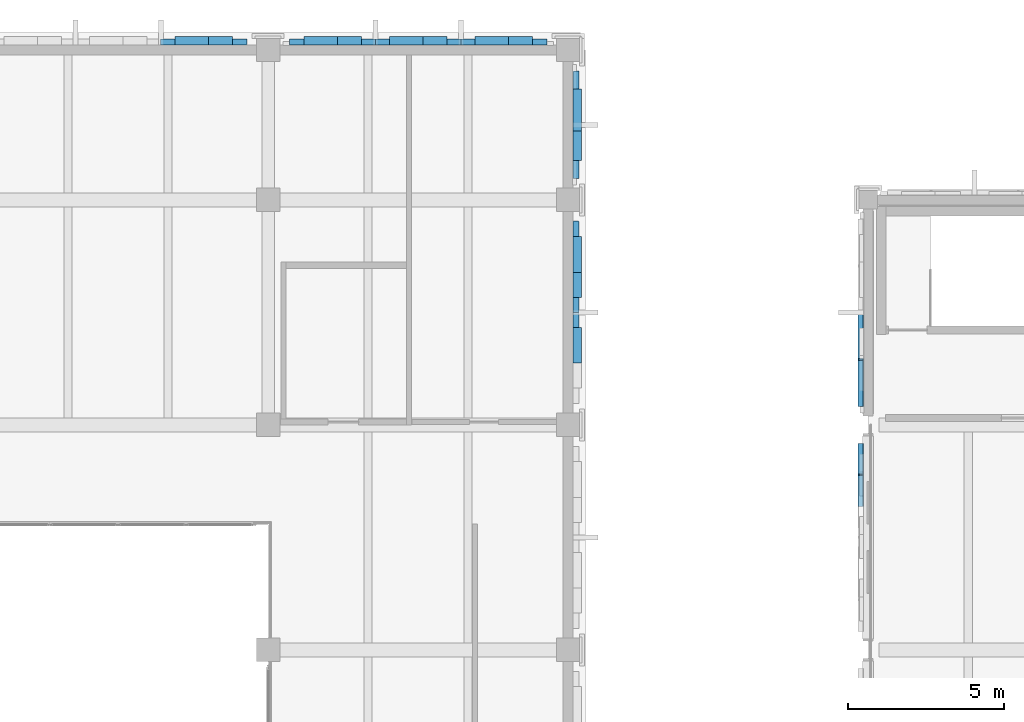
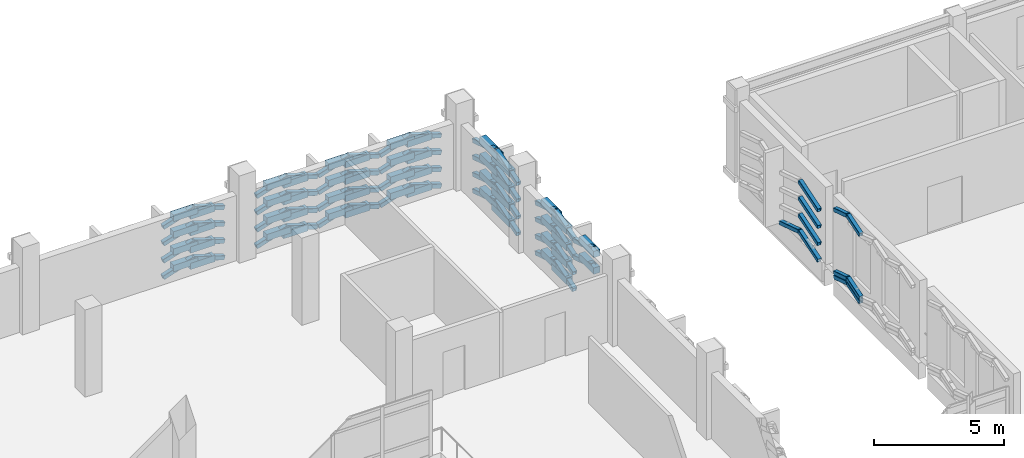
# One storey, part 142 of 180: 111 plates.
"""IFC4 building model written with IfcOpenShell, lengths in metres."""

from ifc_helpers import new_model, si_unit, direction, frame, origin, origin_2d, place, context, subcontext, project, spatial, rectangle, hollow_rectangle, extrude, material, layer, layer_set, material_profile, profile_set, type_object, element, save


model = new_model("IFC4")

# Units and contexts
model_context = context("Model", 3, precision=1e-05, world=origin(), true_north=direction((0.0, 1.0)))
body_context = subcontext(model_context, "Body", "Model", "MODEL_VIEW")
ifc_project = project(units=[si_unit("LENGTHUNIT", "METRE"), si_unit("AREAUNIT", "SQUARE_METRE"), si_unit("VOLUMEUNIT", "CUBIC_METRE"), si_unit("PLANEANGLEUNIT", "RADIAN"), si_unit("MASSUNIT", "GRAM", prefix="KILO")], contexts=[model_context])

# Site, building, storey
site_placement = place(None, origin())
site = spatial("IfcSite", under=ifc_project, at=site_placement, CompositionType="ELEMENT")
building_placement = place(site_placement, origin())
building = spatial("IfcBuilding", under=site, at=building_placement, Name="Asteropetra Specialist Clinic", CompositionType="ELEMENT")
storey_placement = place(building_placement, frame((0.0, 0.0, 4.419921875)))
storey = spatial("IfcBuildingStorey", under=building, at=storey_placement, Name="L01", CompositionType="ELEMENT", Elevation=4.419921875)

# Plates
ifc_material_1 = material(Name="Chevron emerald aluminium 6063-T6", Category="aluminium")
ifc_material_profile_1 = material_profile(ifc_material_1, hollow_rectangle(XDim=0.179931640625, YDim=0.179931640625, WallThickness=0.010009765625, InnerFilletRadius=0.008056640625, OuterFilletRadius=0.01611328125, at=origin_2d()), Name="SHS 180x180x10.0")
ifc_profile_set_1 = profile_set([ifc_material_profile_1], Name="Chevron emerald aluminium 6063-T6")
plate_type_1 = type_object("IfcPlateType", Name="CHV-RIB-180", PredefinedType="SHEET", material=ifc_profile_set_1)
for number, where, z_axis, x_axis, name in (
    (1, (86.157958984375, 97.780029296875, 0.0400390625), (0.0, -0.951905113025, 0.306392976091), (1.0, 0.0, 0.0), "Chevron Facade Screen Fin CVR-0295"),
    (2, (86.157958984375, 96.800048828125, 0.35546875), (0.0, -0.951905113025, -0.306392976091), (1.0, 0.0, 0.0), "Chevron Facade Screen Fin CVR-0296"),
    (3, (86.157958984375, 97.780029296875, 0.239990234375), (0.0, -0.951905113025, 0.306392976091), (1.0, 0.0, 0.0), "Chevron Facade Screen Fin CVR-0297"),
    (4, (86.157958984375, 96.800048828125, 0.555419921875), (0.0, -0.951905113025, -0.306392976091), (1.0, 0.0, 0.0), "Chevron Facade Screen Fin CVR-0298"),
    (5, (86.157958984375, 97.780029296875, 3.190185546875), (0.0, -0.951974259169, 0.306178068906), (1.0, 0.0, 0.0), "Chevron Facade Screen Fin CVR-0299"),
    (6, (86.157958984375, 96.800048828125, 3.50537109375), (0.0, -0.951974259169, -0.306178068906), (1.0, 0.0, 0.0), "Chevron Facade Screen Fin CVR-0300"),
):
    element("IfcPlate", number, at=place(storey_placement, frame(where, z_axis=z_axis, x_axis=x_axis)), inside=storey, type_object=plate_type_1, Name=name, PredefinedType="SHEET", context=body_context, shape_type="SweptSolid", body=[
        extrude(hollow_rectangle(XDim=0.179931640625, YDim=0.179931640625, WallThickness=0.010009765625, InnerFilletRadius=0.008056640625, OuterFilletRadius=0.01611328125, at=origin_2d()), origin(), (0.0, 0.0, 1.0), 1.029541015625),
    ])
plate_1_placement = place(storey_placement, frame((86.157958984375, 101.969970703125, 0.050048828125), z_axis=(0.0, -0.952521130358, 0.304472488449), x_axis=(1.0, 0.0, 0.0)))
element("IfcPlate", 7, at=plate_1_placement, inside=storey, type_object=plate_type_1, Name="Chevron Facade Screen Fin CVR-0339", PredefinedType="SHEET", context=body_context, shape_type="SweptSolid", body=[
    extrude(hollow_rectangle(XDim=0.179931640625, YDim=0.179931640625, WallThickness=0.010009765625, InnerFilletRadius=0.008056640625, OuterFilletRadius=0.01611328125, at=origin_2d()), origin(), (0.0, 0.0, 1.0), 1.54833984375),
])
for number, where, z_axis, x_axis, name in (
    (8, (86.157958984375, 100.4951171875, 0.521484375), (0.0, -0.952535744188, -0.304426766307), (1.0, 0.0, 0.0), "Chevron Facade Screen Fin CVR-0340"),
    (9, (86.157958984375, 100.4951171875, 1.29150390625), (0.0, -0.952535744188, -0.304426766307), (1.0, 0.0, 0.0), "Chevron Facade Screen Fin CVR-0342"),
    (10, (86.157958984375, 100.4951171875, 2.091552734375), (0.0, -0.952535744188, -0.304426766307), (1.0, 0.0, 0.0), "Chevron Facade Screen Fin CVR-0344"),
    (11, (86.157958984375, 100.4951171875, 2.87158203125), (0.0, -0.952535744188, -0.304426766307), (1.0, 0.0, 0.0), "Chevron Facade Screen Fin CVR-0346"),
):
    element("IfcPlate", number, at=place(storey_placement, frame(where, z_axis=z_axis, x_axis=x_axis)), inside=storey, type_object=plate_type_1, Name=name, PredefinedType="SHEET", context=body_context, shape_type="SweptSolid", body=[
        extrude(hollow_rectangle(XDim=0.179931640625, YDim=0.179931640625, WallThickness=0.010009765625, InnerFilletRadius=0.008056640625, OuterFilletRadius=0.01611328125, at=origin_2d()), origin(), (0.0, 0.0, 1.0), 1.548583984375),
    ])
ifc_material_2 = material(Name="Chevron emerald aluminium 6063-T6", Category="aluminium")
ifc_material_profile_2 = material_profile(ifc_material_2, hollow_rectangle(XDim=0.199951171875, YDim=0.199951171875, WallThickness=0.010009765625, InnerFilletRadius=0.008056640625, OuterFilletRadius=0.01611328125, at=origin_2d()), Name="SHS 200x200x10.0")
ifc_profile_set_2 = profile_set([ifc_material_profile_2], Name="Chevron emerald aluminium 6063-T6")
plate_type_2 = type_object("IfcPlateType", Name="CHV-RIB-200", PredefinedType="SHEET", material=ifc_profile_set_2)
for number, where, z_axis, x_axis, name in (
    (12, (66.485107421875, 110.652099609375, 0.050048828125), (-0.95244216645, 0.0, 0.304719411211), (0.0, -1.0, 0.0), "Chevron Facade Screen Fin CVR-0595"),
    (13, (65.13671875, 110.652099609375, 0.4814453125), (-0.95244216645, 0.0, -0.304719411211), (0.0, -1.0, 0.0), "Chevron Facade Screen Fin CVR-0596"),
    (14, (66.485107421875, 110.652099609375, 0.820068359375), (-0.95244216645, 0.0, 0.304719411211), (0.0, -1.0, 0.0), "Chevron Facade Screen Fin CVR-0597"),
    (15, (65.13671875, 110.652099609375, 1.25146484375), (-0.95244216645, 0.0, -0.304719411211), (0.0, -1.0, 0.0), "Chevron Facade Screen Fin CVR-0598"),
    (16, (66.485107421875, 110.652099609375, 1.6201171875), (-0.95244216645, 0.0, 0.304719411211), (0.0, -1.0, 0.0), "Chevron Facade Screen Fin CVR-0599"),
    (17, (65.13671875, 110.652099609375, 2.051513671875), (-0.95244216645, 0.0, -0.304719411211), (0.0, -1.0, 0.0), "Chevron Facade Screen Fin CVR-0600"),
    (18, (66.485107421875, 110.652099609375, 2.400146484375), (-0.95244216645, 0.0, 0.304719411211), (0.0, -1.0, 0.0), "Chevron Facade Screen Fin CVR-0601"),
    (19, (65.13671875, 110.652099609375, 2.83154296875), (-0.95244216645, 0.0, -0.304719411211), (0.0, -1.0, 0.0), "Chevron Facade Screen Fin CVR-0602"),
):
    element("IfcPlate", number, at=place(storey_placement, frame(where, z_axis=z_axis, x_axis=x_axis)), inside=storey, type_object=plate_type_2, Name=name, PredefinedType="SHEET", context=body_context, shape_type="SweptSolid", body=[
        extrude(hollow_rectangle(XDim=0.199951171875, YDim=0.199951171875, WallThickness=0.010009765625, InnerFilletRadius=0.008056640625, OuterFilletRadius=0.01611328125, at=origin_2d()), origin(), (0.0, 0.0, 1.0), 1.415771484375),
    ])
plate_2_placement = place(storey_placement, frame((76.0849609375, 110.652099609375, 0.050048828125), z_axis=(-0.952426149832, 0.0, 0.304769468807), x_axis=(0.0, -1.0, 0.0)))
element("IfcPlate", 20, at=plate_2_placement, inside=storey, type_object=plate_type_2, Name="Chevron Facade Screen Fin CVR-0643", PredefinedType="SHEET", context=body_context, shape_type="SweptSolid", body=[
    extrude(hollow_rectangle(XDim=0.199951171875, YDim=0.199951171875, WallThickness=0.010009765625, InnerFilletRadius=0.008056640625, OuterFilletRadius=0.01611328125, at=origin_2d()), origin(), (0.0, 0.0, 1.0), 1.41552734375),
])
plate_3_placement = place(storey_placement, frame((74.73681640625, 110.652099609375, 0.4814453125), z_axis=(-0.952458175178, 0.0, -0.304669369214), x_axis=(0.0, -1.0, 0.0)))
element("IfcPlate", 21, at=plate_3_placement, inside=storey, type_object=plate_type_2, Name="Chevron Facade Screen Fin CVR-0644", PredefinedType="SHEET", context=body_context, shape_type="SweptSolid", body=[
    extrude(hollow_rectangle(XDim=0.199951171875, YDim=0.199951171875, WallThickness=0.010009765625, InnerFilletRadius=0.008056640625, OuterFilletRadius=0.01611328125, at=origin_2d()), origin(), (0.0, 0.0, 1.0), 1.416015625),
])
plate_4_placement = place(storey_placement, frame((76.0849609375, 110.652099609375, 0.820068359375), z_axis=(-0.952426149832, 0.0, 0.304769468807), x_axis=(0.0, -1.0, 0.0)))
element("IfcPlate", 22, at=plate_4_placement, inside=storey, type_object=plate_type_2, Name="Chevron Facade Screen Fin CVR-0645", PredefinedType="SHEET", context=body_context, shape_type="SweptSolid", body=[
    extrude(hollow_rectangle(XDim=0.199951171875, YDim=0.199951171875, WallThickness=0.010009765625, InnerFilletRadius=0.008056640625, OuterFilletRadius=0.01611328125, at=origin_2d()), origin(), (0.0, 0.0, 1.0), 1.41552734375),
])
plate_5_placement = place(storey_placement, frame((74.73681640625, 110.652099609375, 1.25146484375), z_axis=(-0.952458175178, 0.0, -0.304669369214), x_axis=(0.0, -1.0, 0.0)))
element("IfcPlate", 23, at=plate_5_placement, inside=storey, type_object=plate_type_2, Name="Chevron Facade Screen Fin CVR-0646", PredefinedType="SHEET", context=body_context, shape_type="SweptSolid", body=[
    extrude(hollow_rectangle(XDim=0.199951171875, YDim=0.199951171875, WallThickness=0.010009765625, InnerFilletRadius=0.008056640625, OuterFilletRadius=0.01611328125, at=origin_2d()), origin(), (0.0, 0.0, 1.0), 1.416015625),
])
plate_6_placement = place(storey_placement, frame((76.0849609375, 110.652099609375, 1.6201171875), z_axis=(-0.952426149832, 0.0, 0.304769468807), x_axis=(0.0, -1.0, 0.0)))
element("IfcPlate", 24, at=plate_6_placement, inside=storey, type_object=plate_type_2, Name="Chevron Facade Screen Fin CVR-0647", PredefinedType="SHEET", context=body_context, shape_type="SweptSolid", body=[
    extrude(hollow_rectangle(XDim=0.199951171875, YDim=0.199951171875, WallThickness=0.010009765625, InnerFilletRadius=0.008056640625, OuterFilletRadius=0.01611328125, at=origin_2d()), origin(), (0.0, 0.0, 1.0), 1.41552734375),
])
plate_7_placement = place(storey_placement, frame((74.73681640625, 110.652099609375, 2.051513671875), z_axis=(-0.952458175178, 0.0, -0.304669369214), x_axis=(0.0, -1.0, 0.0)))
element("IfcPlate", 25, at=plate_7_placement, inside=storey, type_object=plate_type_2, Name="Chevron Facade Screen Fin CVR-0648", PredefinedType="SHEET", context=body_context, shape_type="SweptSolid", body=[
    extrude(hollow_rectangle(XDim=0.199951171875, YDim=0.199951171875, WallThickness=0.010009765625, InnerFilletRadius=0.008056640625, OuterFilletRadius=0.01611328125, at=origin_2d()), origin(), (0.0, 0.0, 1.0), 1.416015625),
])
plate_8_placement = place(storey_placement, frame((76.0849609375, 110.652099609375, 2.400146484375), z_axis=(-0.952426149832, 0.0, 0.304769468807), x_axis=(0.0, -1.0, 0.0)))
element("IfcPlate", 26, at=plate_8_placement, inside=storey, type_object=plate_type_2, Name="Chevron Facade Screen Fin CVR-0649", PredefinedType="SHEET", context=body_context, shape_type="SweptSolid", body=[
    extrude(hollow_rectangle(XDim=0.199951171875, YDim=0.199951171875, WallThickness=0.010009765625, InnerFilletRadius=0.008056640625, OuterFilletRadius=0.01611328125, at=origin_2d()), origin(), (0.0, 0.0, 1.0), 1.41552734375),
])
plate_9_placement = place(storey_placement, frame((74.73681640625, 110.652099609375, 2.83154296875), z_axis=(-0.952458175178, 0.0, -0.304669369214), x_axis=(0.0, -1.0, 0.0)))
element("IfcPlate", 27, at=plate_9_placement, inside=storey, type_object=plate_type_2, Name="Chevron Facade Screen Fin CVR-0650", PredefinedType="SHEET", context=body_context, shape_type="SweptSolid", body=[
    extrude(hollow_rectangle(XDim=0.199951171875, YDim=0.199951171875, WallThickness=0.010009765625, InnerFilletRadius=0.008056640625, OuterFilletRadius=0.01611328125, at=origin_2d()), origin(), (0.0, 0.0, 1.0), 1.416015625),
])
for number, where, z_axis, x_axis, name in (
    (28, (73.348388671875, 110.652099609375, 0.050048828125), (-0.95244216645, 0.0, 0.304719411211), (0.0, -1.0, 0.0), "Chevron Facade Screen Fin CVR-0651"),
    (29, (72.0, 110.652099609375, 0.4814453125), (-0.95244216645, 0.0, -0.304719411211), (0.0, -1.0, 0.0), "Chevron Facade Screen Fin CVR-0652"),
    (30, (73.348388671875, 110.652099609375, 0.820068359375), (-0.95244216645, 0.0, 0.304719411211), (0.0, -1.0, 0.0), "Chevron Facade Screen Fin CVR-0653"),
    (31, (72.0, 110.652099609375, 1.25146484375), (-0.95244216645, 0.0, -0.304719411211), (0.0, -1.0, 0.0), "Chevron Facade Screen Fin CVR-0654"),
    (32, (73.348388671875, 110.652099609375, 1.6201171875), (-0.95244216645, 0.0, 0.304719411211), (0.0, -1.0, 0.0), "Chevron Facade Screen Fin CVR-0655"),
    (33, (72.0, 110.652099609375, 2.051513671875), (-0.95244216645, 0.0, -0.304719411211), (0.0, -1.0, 0.0), "Chevron Facade Screen Fin CVR-0656"),
    (34, (73.348388671875, 110.652099609375, 2.400146484375), (-0.95244216645, 0.0, 0.304719411211), (0.0, -1.0, 0.0), "Chevron Facade Screen Fin CVR-0657"),
    (35, (72.0, 110.652099609375, 2.83154296875), (-0.95244216645, 0.0, -0.304719411211), (0.0, -1.0, 0.0), "Chevron Facade Screen Fin CVR-0658"),
):
    element("IfcPlate", number, at=place(storey_placement, frame(where, z_axis=z_axis, x_axis=x_axis)), inside=storey, type_object=plate_type_2, Name=name, PredefinedType="SHEET", context=body_context, shape_type="SweptSolid", body=[
        extrude(hollow_rectangle(XDim=0.199951171875, YDim=0.199951171875, WallThickness=0.010009765625, InnerFilletRadius=0.008056640625, OuterFilletRadius=0.01611328125, at=origin_2d()), origin(), (0.0, 0.0, 1.0), 1.415771484375),
    ])
plate_10_placement = place(storey_placement, frame((70.61181640625, 110.652099609375, 0.050048828125), z_axis=(-0.952458175178, 0.0, 0.304669369214), x_axis=(0.0, -1.0, 0.0)))
element("IfcPlate", 36, at=plate_10_placement, inside=storey, type_object=plate_type_2, Name="Chevron Facade Screen Fin CVR-0659", PredefinedType="SHEET", context=body_context, shape_type="SweptSolid", body=[
    extrude(hollow_rectangle(XDim=0.199951171875, YDim=0.199951171875, WallThickness=0.010009765625, InnerFilletRadius=0.008056640625, OuterFilletRadius=0.01611328125, at=origin_2d()), origin(), (0.0, 0.0, 1.0), 1.416015625),
])
plate_11_placement = place(storey_placement, frame((69.26318359375, 110.652099609375, 0.4814453125), z_axis=(-0.952426149832, 0.0, -0.304769468807), x_axis=(0.0, -1.0, 0.0)))
element("IfcPlate", 37, at=plate_11_placement, inside=storey, type_object=plate_type_2, Name="Chevron Facade Screen Fin CVR-0660", PredefinedType="SHEET", context=body_context, shape_type="SweptSolid", body=[
    extrude(hollow_rectangle(XDim=0.199951171875, YDim=0.199951171875, WallThickness=0.010009765625, InnerFilletRadius=0.008056640625, OuterFilletRadius=0.01611328125, at=origin_2d()), origin(), (0.0, 0.0, 1.0), 1.41552734375),
])
plate_12_placement = place(storey_placement, frame((70.61181640625, 110.652099609375, 0.820068359375), z_axis=(-0.952458175178, 0.0, 0.304669369214), x_axis=(0.0, -1.0, 0.0)))
element("IfcPlate", 38, at=plate_12_placement, inside=storey, type_object=plate_type_2, Name="Chevron Facade Screen Fin CVR-0661", PredefinedType="SHEET", context=body_context, shape_type="SweptSolid", body=[
    extrude(hollow_rectangle(XDim=0.199951171875, YDim=0.199951171875, WallThickness=0.010009765625, InnerFilletRadius=0.008056640625, OuterFilletRadius=0.01611328125, at=origin_2d()), origin(), (0.0, 0.0, 1.0), 1.416015625),
])
plate_13_placement = place(storey_placement, frame((69.26318359375, 110.652099609375, 1.25146484375), z_axis=(-0.952426149832, 0.0, -0.304769468807), x_axis=(0.0, -1.0, 0.0)))
element("IfcPlate", 39, at=plate_13_placement, inside=storey, type_object=plate_type_2, Name="Chevron Facade Screen Fin CVR-0662", PredefinedType="SHEET", context=body_context, shape_type="SweptSolid", body=[
    extrude(hollow_rectangle(XDim=0.199951171875, YDim=0.199951171875, WallThickness=0.010009765625, InnerFilletRadius=0.008056640625, OuterFilletRadius=0.01611328125, at=origin_2d()), origin(), (0.0, 0.0, 1.0), 1.41552734375),
])
plate_14_placement = place(storey_placement, frame((70.61181640625, 110.652099609375, 1.6201171875), z_axis=(-0.952458175178, 0.0, 0.304669369214), x_axis=(0.0, -1.0, 0.0)))
element("IfcPlate", 40, at=plate_14_placement, inside=storey, type_object=plate_type_2, Name="Chevron Facade Screen Fin CVR-0663", PredefinedType="SHEET", context=body_context, shape_type="SweptSolid", body=[
    extrude(hollow_rectangle(XDim=0.199951171875, YDim=0.199951171875, WallThickness=0.010009765625, InnerFilletRadius=0.008056640625, OuterFilletRadius=0.01611328125, at=origin_2d()), origin(), (0.0, 0.0, 1.0), 1.416015625),
])
plate_15_placement = place(storey_placement, frame((69.26318359375, 110.652099609375, 2.051513671875), z_axis=(-0.952426149832, 0.0, -0.304769468807), x_axis=(0.0, -1.0, 0.0)))
element("IfcPlate", 41, at=plate_15_placement, inside=storey, type_object=plate_type_2, Name="Chevron Facade Screen Fin CVR-0664", PredefinedType="SHEET", context=body_context, shape_type="SweptSolid", body=[
    extrude(hollow_rectangle(XDim=0.199951171875, YDim=0.199951171875, WallThickness=0.010009765625, InnerFilletRadius=0.008056640625, OuterFilletRadius=0.01611328125, at=origin_2d()), origin(), (0.0, 0.0, 1.0), 1.41552734375),
])
plate_16_placement = place(storey_placement, frame((70.61181640625, 110.652099609375, 2.400146484375), z_axis=(-0.952458175178, 0.0, 0.304669369214), x_axis=(0.0, -1.0, 0.0)))
element("IfcPlate", 42, at=plate_16_placement, inside=storey, type_object=plate_type_2, Name="Chevron Facade Screen Fin CVR-0665", PredefinedType="SHEET", context=body_context, shape_type="SweptSolid", body=[
    extrude(hollow_rectangle(XDim=0.199951171875, YDim=0.199951171875, WallThickness=0.010009765625, InnerFilletRadius=0.008056640625, OuterFilletRadius=0.01611328125, at=origin_2d()), origin(), (0.0, 0.0, 1.0), 1.416015625),
])
plate_17_placement = place(storey_placement, frame((69.26318359375, 110.652099609375, 2.83154296875), z_axis=(-0.952426149832, 0.0, -0.304769468807), x_axis=(0.0, -1.0, 0.0)))
element("IfcPlate", 43, at=plate_17_placement, inside=storey, type_object=plate_type_2, Name="Chevron Facade Screen Fin CVR-0666", PredefinedType="SHEET", context=body_context, shape_type="SweptSolid", body=[
    extrude(hollow_rectangle(XDim=0.199951171875, YDim=0.199951171875, WallThickness=0.010009765625, InnerFilletRadius=0.008056640625, OuterFilletRadius=0.01611328125, at=origin_2d()), origin(), (0.0, 0.0, 1.0), 1.41552734375),
])
for number, where, z_axis, x_axis, name in (
    (44, (77.052001953125, 100.547607421875, 2.078125), (0.0, 0.952491984317, -0.304563654777), (-1.0, 0.0, 0.0), "Chevron Facade Screen Fin CVR-0800"),
    (45, (77.052001953125, 100.547607421875, 2.858154296875), (0.0, 0.952491984317, -0.304563654777), (-1.0, 0.0, 0.0), "Chevron Facade Screen Fin CVR-0802"),
    (46, (77.052001953125, 102.02001953125, 0.050048828125), (0.0, 0.952491984317, 0.304563654777), (-1.0, 0.0, 0.0), "Chevron Facade Screen Fin CVR-0803"),
):
    element("IfcPlate", number, at=place(storey_placement, frame(where, z_axis=z_axis, x_axis=x_axis)), inside=storey, type_object=plate_type_2, Name=name, PredefinedType="SHEET", context=body_context, shape_type="SweptSolid", body=[
        extrude(hollow_rectangle(XDim=0.199951171875, YDim=0.199951171875, WallThickness=0.010009765625, InnerFilletRadius=0.008056640625, OuterFilletRadius=0.01611328125, at=origin_2d()), origin(), (0.0, 0.0, 1.0), 1.50390625),
    ])
plate_18_placement = place(storey_placement, frame((77.052001953125, 103.452392578125, 0.508056640625), z_axis=(0.0, 0.952507040007, -0.304516565619), x_axis=(-1.0, 0.0, 0.0)))
element("IfcPlate", 47, at=plate_18_placement, inside=storey, type_object=plate_type_2, Name="Chevron Facade Screen Fin CVR-0804", PredefinedType="SHEET", context=body_context, shape_type="SweptSolid", body=[
    extrude(hollow_rectangle(XDim=0.199951171875, YDim=0.199951171875, WallThickness=0.010009765625, InnerFilletRadius=0.008056640625, OuterFilletRadius=0.01611328125, at=origin_2d()), origin(), (0.0, 0.0, 1.0), 1.504150390625),
])
plate_19_placement = place(storey_placement, frame((77.052001953125, 102.02001953125, 0.820068359375), z_axis=(0.0, 0.952491984317, 0.304563654777), x_axis=(-1.0, 0.0, 0.0)))
element("IfcPlate", 48, at=plate_19_placement, inside=storey, type_object=plate_type_2, Name="Chevron Facade Screen Fin CVR-0805", PredefinedType="SHEET", context=body_context, shape_type="SweptSolid", body=[
    extrude(hollow_rectangle(XDim=0.199951171875, YDim=0.199951171875, WallThickness=0.010009765625, InnerFilletRadius=0.008056640625, OuterFilletRadius=0.01611328125, at=origin_2d()), origin(), (0.0, 0.0, 1.0), 1.50390625),
])
plate_20_placement = place(storey_placement, frame((77.052001953125, 103.452392578125, 1.278076171875), z_axis=(0.0, 0.952507040007, -0.304516565619), x_axis=(-1.0, 0.0, 0.0)))
element("IfcPlate", 49, at=plate_20_placement, inside=storey, type_object=plate_type_2, Name="Chevron Facade Screen Fin CVR-0806", PredefinedType="SHEET", context=body_context, shape_type="SweptSolid", body=[
    extrude(hollow_rectangle(XDim=0.199951171875, YDim=0.199951171875, WallThickness=0.010009765625, InnerFilletRadius=0.008056640625, OuterFilletRadius=0.01611328125, at=origin_2d()), origin(), (0.0, 0.0, 1.0), 1.504150390625),
])
plate_21_placement = place(storey_placement, frame((77.052001953125, 102.02001953125, 1.6201171875), z_axis=(0.0, 0.952491984317, 0.304563654777), x_axis=(-1.0, 0.0, 0.0)))
element("IfcPlate", 50, at=plate_21_placement, inside=storey, type_object=plate_type_2, Name="Chevron Facade Screen Fin CVR-0807", PredefinedType="SHEET", context=body_context, shape_type="SweptSolid", body=[
    extrude(hollow_rectangle(XDim=0.199951171875, YDim=0.199951171875, WallThickness=0.010009765625, InnerFilletRadius=0.008056640625, OuterFilletRadius=0.01611328125, at=origin_2d()), origin(), (0.0, 0.0, 1.0), 1.50390625),
])
plate_22_placement = place(storey_placement, frame((77.052001953125, 103.452392578125, 2.078125), z_axis=(0.0, 0.952507040007, -0.304516565619), x_axis=(-1.0, 0.0, 0.0)))
element("IfcPlate", 51, at=plate_22_placement, inside=storey, type_object=plate_type_2, Name="Chevron Facade Screen Fin CVR-0808", PredefinedType="SHEET", context=body_context, shape_type="SweptSolid", body=[
    extrude(hollow_rectangle(XDim=0.199951171875, YDim=0.199951171875, WallThickness=0.010009765625, InnerFilletRadius=0.008056640625, OuterFilletRadius=0.01611328125, at=origin_2d()), origin(), (0.0, 0.0, 1.0), 1.504150390625),
])
plate_23_placement = place(storey_placement, frame((77.052001953125, 102.02001953125, 2.400146484375), z_axis=(0.0, 0.952491984317, 0.304563654777), x_axis=(-1.0, 0.0, 0.0)))
element("IfcPlate", 52, at=plate_23_placement, inside=storey, type_object=plate_type_2, Name="Chevron Facade Screen Fin CVR-0809", PredefinedType="SHEET", context=body_context, shape_type="SweptSolid", body=[
    extrude(hollow_rectangle(XDim=0.199951171875, YDim=0.199951171875, WallThickness=0.010009765625, InnerFilletRadius=0.008056640625, OuterFilletRadius=0.01611328125, at=origin_2d()), origin(), (0.0, 0.0, 1.0), 1.50390625),
])
plate_24_placement = place(storey_placement, frame((77.052001953125, 103.452392578125, 2.858154296875), z_axis=(0.0, 0.952507040007, -0.304516565619), x_axis=(-1.0, 0.0, 0.0)))
element("IfcPlate", 53, at=plate_24_placement, inside=storey, type_object=plate_type_2, Name="Chevron Facade Screen Fin CVR-0810", PredefinedType="SHEET", context=body_context, shape_type="SweptSolid", body=[
    extrude(hollow_rectangle(XDim=0.199951171875, YDim=0.199951171875, WallThickness=0.010009765625, InnerFilletRadius=0.008056640625, OuterFilletRadius=0.01611328125, at=origin_2d()), origin(), (0.0, 0.0, 1.0), 1.504150390625),
])
for number, where, z_axis, x_axis, name in (
    (54, (77.052001953125, 106.31494140625, 0.050048828125), (0.0, 0.952689829529, 0.303944219737), (-1.0, 0.0, 0.0), "Chevron Facade Screen Fin CVR-0819"),
    (55, (77.052001953125, 108.0, 0.587646484375), (0.0, 0.952689829529, -0.303944219737), (-1.0, 0.0, 0.0), "Chevron Facade Screen Fin CVR-0820"),
    (56, (77.052001953125, 106.31494140625, 0.820068359375), (0.0, 0.952689829529, 0.303944219737), (-1.0, 0.0, 0.0), "Chevron Facade Screen Fin CVR-0821"),
    (57, (77.052001953125, 108.0, 1.357666015625), (0.0, 0.952689829529, -0.303944219737), (-1.0, 0.0, 0.0), "Chevron Facade Screen Fin CVR-0822"),
    (58, (77.052001953125, 106.31494140625, 1.6201171875), (0.0, 0.952689829529, 0.303944219737), (-1.0, 0.0, 0.0), "Chevron Facade Screen Fin CVR-0823"),
    (59, (77.052001953125, 108.0, 2.15771484375), (0.0, 0.952689829529, -0.303944219737), (-1.0, 0.0, 0.0), "Chevron Facade Screen Fin CVR-0824"),
    (60, (77.052001953125, 106.31494140625, 2.400146484375), (0.0, 0.952689829529, 0.303944219737), (-1.0, 0.0, 0.0), "Chevron Facade Screen Fin CVR-0825"),
    (61, (77.052001953125, 108.0, 2.937744140625), (0.0, 0.952689829529, -0.303944219737), (-1.0, 0.0, 0.0), "Chevron Facade Screen Fin CVR-0826"),
):
    element("IfcPlate", number, at=place(storey_placement, frame(where, z_axis=z_axis, x_axis=x_axis)), inside=storey, type_object=plate_type_2, Name=name, PredefinedType="SHEET", context=body_context, shape_type="SweptSolid", body=[
        extrude(hollow_rectangle(XDim=0.199951171875, YDim=0.199951171875, WallThickness=0.010009765625, InnerFilletRadius=0.008056640625, OuterFilletRadius=0.01611328125, at=origin_2d()), origin(), (0.0, 0.0, 1.0), 1.768798828125),
    ])
ifc_material_3 = material(Name="Aluminium 6063-T6", Category="aluminium")
ifc_layer = layer(ifc_material_3, 0.139892578125)
ifc_layer_set = layer_set([ifc_layer], Name="Aluminium 6063-T6")
plate_type_3 = type_object("IfcPlateType", Name="PLT-CHV-TILE", PredefinedType="SHEET", material=ifc_layer_set)
for number, where, z_axis, x_axis, name in (
    (62, (65.51416015625, 110.68994140625, 0.029296875), (0.0, 0.0, 1.0), (1.0, 0.0, 0.0), "Chevron Ceramic Panel CPT-0233"),
    (63, (64.759033203125, 110.68994140625, 0.193359375), (0.0, 0.0, 1.0), (1.0, 0.0, 0.0), "Chevron Ceramic Panel CPT-0234"),
    (64, (65.51416015625, 110.68994140625, 0.79931640625), (0.0, 0.0, 1.0), (1.0, 0.0, 0.0), "Chevron Ceramic Panel CPT-0235"),
    (65, (64.759033203125, 110.68994140625, 0.96337890625), (0.0, 0.0, 1.0), (1.0, 0.0, 0.0), "Chevron Ceramic Panel CPT-0236"),
    (66, (65.51416015625, 110.68994140625, 1.599609375), (0.0, 0.0, 1.0), (1.0, 0.0, 0.0), "Chevron Ceramic Panel CPT-0237"),
    (67, (64.759033203125, 110.68994140625, 1.763671875), (0.0, 0.0, 1.0), (1.0, 0.0, 0.0), "Chevron Ceramic Panel CPT-0238"),
    (68, (65.51416015625, 110.68994140625, 2.37939453125), (0.0, 0.0, 1.0), (1.0, 0.0, 0.0), "Chevron Ceramic Panel CPT-0239"),
    (69, (64.759033203125, 110.68994140625, 2.54345703125), (0.0, 0.0, 1.0), (1.0, 0.0, 0.0), "Chevron Ceramic Panel CPT-0240"),
    (70, (75.1142578125, 110.68994140625, 0.029296875), (0.0, 0.0, 1.0), (1.0, 0.0, 0.0), "Chevron Ceramic Panel CPT-0281"),
    (71, (74.359130859375, 110.68994140625, 0.193359375), (0.0, 0.0, 1.0), (1.0, 0.0, 0.0), "Chevron Ceramic Panel CPT-0282"),
    (72, (75.1142578125, 110.68994140625, 0.79931640625), (0.0, 0.0, 1.0), (1.0, 0.0, 0.0), "Chevron Ceramic Panel CPT-0283"),
    (73, (74.359130859375, 110.68994140625, 0.96337890625), (0.0, 0.0, 1.0), (1.0, 0.0, 0.0), "Chevron Ceramic Panel CPT-0284"),
    (74, (75.1142578125, 110.68994140625, 1.599609375), (0.0, 0.0, 1.0), (1.0, 0.0, 0.0), "Chevron Ceramic Panel CPT-0285"),
    (75, (74.359130859375, 110.68994140625, 1.763671875), (0.0, 0.0, 1.0), (1.0, 0.0, 0.0), "Chevron Ceramic Panel CPT-0286"),
    (76, (75.1142578125, 110.68994140625, 2.37939453125), (0.0, 0.0, 1.0), (1.0, 0.0, 0.0), "Chevron Ceramic Panel CPT-0287"),
    (77, (74.359130859375, 110.68994140625, 2.54345703125), (0.0, 0.0, 1.0), (1.0, 0.0, 0.0), "Chevron Ceramic Panel CPT-0288"),
    (78, (72.37744140625, 110.68994140625, 0.029296875), (0.0, 0.0, 1.0), (1.0, 0.0, 0.0), "Chevron Ceramic Panel CPT-0289"),
    (79, (71.62255859375, 110.68994140625, 0.193359375), (0.0, 0.0, 1.0), (1.0, 0.0, 0.0), "Chevron Ceramic Panel CPT-0290"),
    (80, (72.37744140625, 110.68994140625, 0.79931640625), (0.0, 0.0, 1.0), (1.0, 0.0, 0.0), "Chevron Ceramic Panel CPT-0291"),
    (81, (71.62255859375, 110.68994140625, 0.96337890625), (0.0, 0.0, 1.0), (1.0, 0.0, 0.0), "Chevron Ceramic Panel CPT-0292"),
    (82, (72.37744140625, 110.68994140625, 1.599609375), (0.0, 0.0, 1.0), (1.0, 0.0, 0.0), "Chevron Ceramic Panel CPT-0293"),
    (83, (71.62255859375, 110.68994140625, 1.763671875), (0.0, 0.0, 1.0), (1.0, 0.0, 0.0), "Chevron Ceramic Panel CPT-0294"),
    (84, (72.37744140625, 110.68994140625, 2.37939453125), (0.0, 0.0, 1.0), (1.0, 0.0, 0.0), "Chevron Ceramic Panel CPT-0295"),
    (85, (71.62255859375, 110.68994140625, 2.54345703125), (0.0, 0.0, 1.0), (1.0, 0.0, 0.0), "Chevron Ceramic Panel CPT-0296"),
    (86, (69.640869140625, 110.68994140625, 0.029296875), (0.0, 0.0, 1.0), (1.0, 0.0, 0.0), "Chevron Ceramic Panel CPT-0297"),
    (87, (68.8857421875, 110.68994140625, 0.193359375), (0.0, 0.0, 1.0), (1.0, 0.0, 0.0), "Chevron Ceramic Panel CPT-0298"),
    (88, (69.640869140625, 110.68994140625, 0.79931640625), (0.0, 0.0, 1.0), (1.0, 0.0, 0.0), "Chevron Ceramic Panel CPT-0299"),
    (89, (68.8857421875, 110.68994140625, 0.96337890625), (0.0, 0.0, 1.0), (1.0, 0.0, 0.0), "Chevron Ceramic Panel CPT-0300"),
    (90, (69.640869140625, 110.68994140625, 1.599609375), (0.0, 0.0, 1.0), (1.0, 0.0, 0.0), "Chevron Ceramic Panel CPT-0301"),
    (91, (68.8857421875, 110.68994140625, 1.763671875), (0.0, 0.0, 1.0), (1.0, 0.0, 0.0), "Chevron Ceramic Panel CPT-0302"),
    (92, (69.640869140625, 110.68994140625, 2.37939453125), (0.0, 0.0, 1.0), (1.0, 0.0, 0.0), "Chevron Ceramic Panel CPT-0303"),
    (93, (68.8857421875, 110.68994140625, 2.54345703125), (0.0, 0.0, 1.0), (1.0, 0.0, 0.0), "Chevron Ceramic Panel CPT-0304"),
):
    element("IfcPlate", number, at=place(storey_placement, frame(where, z_axis=z_axis, x_axis=x_axis)), inside=storey, type_object=plate_type_3, Name=name, PredefinedType="SHEET", context=body_context, shape_type="SweptSolid", body=[
        extrude(rectangle(XDim=1.0791015625, YDim=0.280029296875, at=origin_2d()), origin(), (0.0, 0.0, 1.0), 0.300048828125),
    ])
for number, where, z_axis, x_axis, name in (
    (94, (77.090087890625, 100.948486328125, 1.78125), (0.0, 0.0, 1.0), (1.0, 0.0, 0.0), "Chevron Ceramic Panel CPT-0438"),
    (95, (77.090087890625, 100.948486328125, 2.5615234375), (0.0, 0.0, 1.0), (1.0, 0.0, 0.0), "Chevron Ceramic Panel CPT-0440"),
    (96, (77.090087890625, 103.051513671875, 0.03759765625), (0.0, 0.0, 1.0), (1.0, 0.0, 0.0), "Chevron Ceramic Panel CPT-0441"),
    (97, (77.090087890625, 103.853515625, 0.21142578125), (0.0, 0.0, 1.0), (1.0, 0.0, 0.0), "Chevron Ceramic Panel CPT-0442"),
    (98, (77.090087890625, 103.051513671875, 0.8076171875), (0.0, 0.0, 1.0), (1.0, 0.0, 0.0), "Chevron Ceramic Panel CPT-0443"),
    (99, (77.090087890625, 103.853515625, 0.9814453125), (0.0, 0.0, 1.0), (1.0, 0.0, 0.0), "Chevron Ceramic Panel CPT-0444"),
    (100, (77.090087890625, 103.051513671875, 1.607421875), (0.0, 0.0, 1.0), (1.0, 0.0, 0.0), "Chevron Ceramic Panel CPT-0445"),
    (101, (77.090087890625, 103.853515625, 1.78125), (0.0, 0.0, 1.0), (1.0, 0.0, 0.0), "Chevron Ceramic Panel CPT-0446"),
    (102, (77.090087890625, 103.051513671875, 2.3876953125), (0.0, 0.0, 1.0), (1.0, 0.0, 0.0), "Chevron Ceramic Panel CPT-0447"),
    (103, (77.090087890625, 103.853515625, 2.5615234375), (0.0, 0.0, 1.0), (1.0, 0.0, 0.0), "Chevron Ceramic Panel CPT-0448"),
):
    element("IfcPlate", number, at=place(storey_placement, frame(where, z_axis=z_axis, x_axis=x_axis)), inside=storey, type_object=plate_type_3, Name=name, PredefinedType="SHEET", context=body_context, shape_type="SweptSolid", body=[
        extrude(rectangle(XDim=0.280029296875, YDim=1.14599609375, at=origin_2d()), origin(), (0.0, 0.0, 1.0), 0.300048828125),
    ])
for number, where, z_axis, x_axis, name in (
    (104, (77.090087890625, 107.5283203125, 0.0615234375), (0.0, 0.0, 1.0), (1.0, 0.0, 0.0), "Chevron Ceramic Panel CPT-0457"),
    (105, (77.090087890625, 108.4716796875, 0.265625), (0.0, 0.0, 1.0), (1.0, 0.0, 0.0), "Chevron Ceramic Panel CPT-0458"),
    (106, (77.090087890625, 107.5283203125, 0.83154296875), (0.0, 0.0, 1.0), (1.0, 0.0, 0.0), "Chevron Ceramic Panel CPT-0459"),
    (107, (77.090087890625, 108.4716796875, 1.03564453125), (0.0, 0.0, 1.0), (1.0, 0.0, 0.0), "Chevron Ceramic Panel CPT-0460"),
    (108, (77.090087890625, 107.5283203125, 1.63134765625), (0.0, 0.0, 1.0), (1.0, 0.0, 0.0), "Chevron Ceramic Panel CPT-0461"),
    (109, (77.090087890625, 108.4716796875, 1.83544921875), (0.0, 0.0, 1.0), (1.0, 0.0, 0.0), "Chevron Ceramic Panel CPT-0462"),
    (110, (77.090087890625, 107.5283203125, 2.4111328125), (0.0, 0.0, 1.0), (1.0, 0.0, 0.0), "Chevron Ceramic Panel CPT-0463"),
    (111, (77.090087890625, 108.4716796875, 2.61572265625), (0.0, 0.0, 1.0), (1.0, 0.0, 0.0), "Chevron Ceramic Panel CPT-0464"),
):
    element("IfcPlate", number, at=place(storey_placement, frame(where, z_axis=z_axis, x_axis=x_axis)), inside=storey, type_object=plate_type_3, Name=name, PredefinedType="SHEET", context=body_context, shape_type="SweptSolid", body=[
        extrude(rectangle(XDim=0.280029296875, YDim=1.347900390625, at=origin_2d()), origin(), (0.0, 0.0, 1.0), 0.300048828125),
    ])

save(model, "model.ifc")
